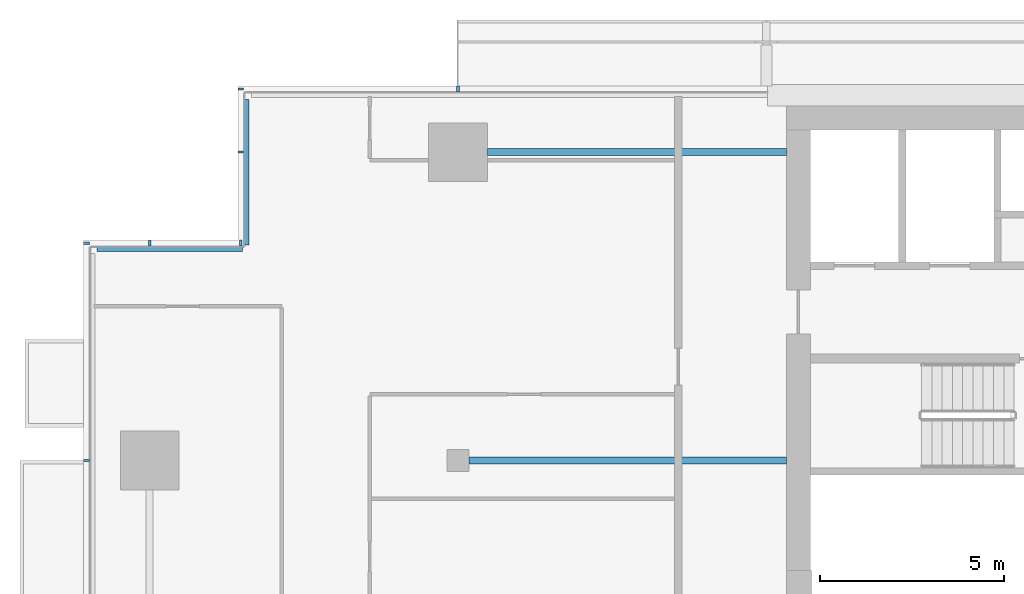
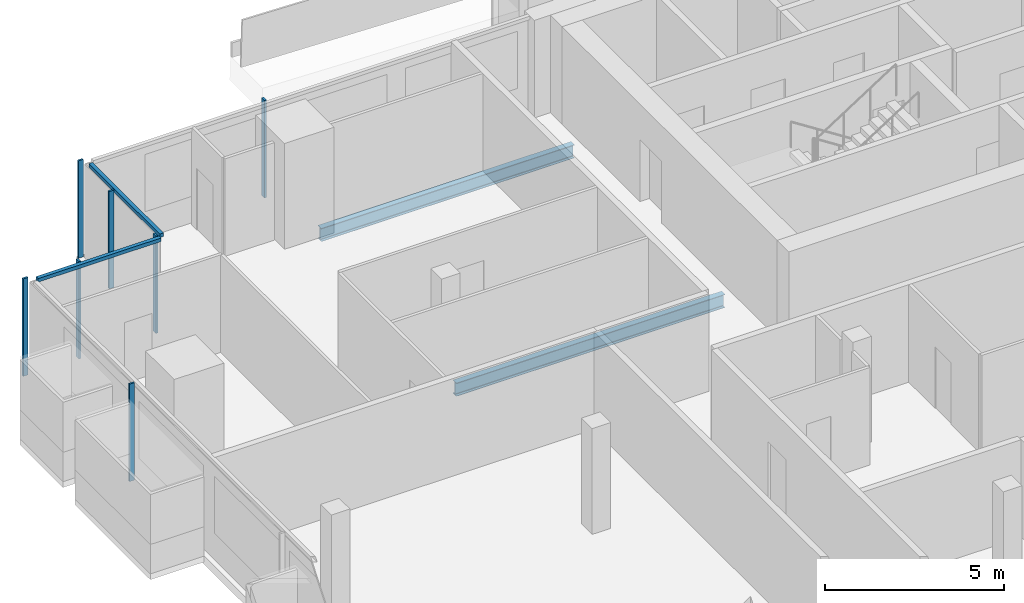
# One storey, part 8 of 27: 9 members, 2 beams, 4 elements without a shape of their own.
"""IFC4 building model written with IfcOpenShell, lengths in metres."""

from ifc_helpers import new_model, si_unit, direction, frame, origin, origin_2d, place, context, subcontext, project, spatial, rectangle, i_section, extrude, material, material_profile, profile_set, type_object, element, aggregate, save


model = new_model("IFC4")

# Units and contexts
model_context = context("Model", 3, precision=1e-05, world=origin(), true_north=direction((0.0, 1.0)))
body_context = subcontext(model_context, "Body", "Model", "MODEL_VIEW")
ifc_project = project(units=[si_unit("LENGTHUNIT", "METRE"), si_unit("AREAUNIT", "SQUARE_METRE"), si_unit("VOLUMEUNIT", "CUBIC_METRE"), si_unit("PLANEANGLEUNIT", "RADIAN"), si_unit("MASSUNIT", "GRAM", prefix="KILO")], contexts=[model_context])

# Site, building, storey
site_placement = place(None, origin())
site = spatial("IfcSite", under=ifc_project, at=site_placement, CompositionType="ELEMENT")
building_placement = place(site_placement, origin())
building = spatial("IfcBuilding", under=site, at=building_placement, Name="Saffron Gate Tower", CompositionType="ELEMENT")
storey_placement = place(building_placement, frame((0.0, 0.0, 212.699951171875)))
storey = spatial("IfcBuildingStorey", under=building, at=storey_placement, Name="L51", CompositionType="ELEMENT", Elevation=212.699951171875)

# Beams
ifc_material_1 = material(Name="Structural steel S355", Category="steel")
ifc_material_profile_1 = material_profile(ifc_material_1, i_section(OverallWidth=0.18994140625, OverallDepth=0.449951171875, WebThickness=0.009521484375, FlangeThickness=0.0146484375, FilletRadius=0.02099609375, at=origin_2d()))
ifc_profile_set_1 = profile_set([ifc_material_profile_1], Name="Structural steel S355")
beam_type = type_object("IfcBeamType", Name="B6 IPE 450", PredefinedType="BEAM", material=ifc_profile_set_1)
beam_1_placement = place(storey_placement, frame((58.5, 65.39990234375, -0.5048828125), z_axis=(1.0, 0.0, 0.0), x_axis=(0.0, 1.0, 0.0)))
element("IfcBeam", 1, at=beam_1_placement, inside=storey, type_object=beam_type, Name="B6 CORE TIE BEAM", PredefinedType="BEAM", context=body_context, shape_type="SweptSolid", body=[
    extrude(i_section(OverallWidth=0.18994140625, OverallDepth=0.449951171875, WebThickness=0.009521484375, FlangeThickness=0.0146484375, FilletRadius=0.02099609375, at=origin_2d()), origin(), (0.0, 0.0, 1.0), 8.64990234375),
])
beam_2_placement = place(storey_placement, frame((59.0, 73.800048828125, -0.5048828125), z_axis=(1.0, 0.0, 0.0), x_axis=(0.0, 1.0, 0.0)))
element("IfcBeam", 2, at=beam_2_placement, inside=storey, type_object=beam_type, Name="B6 CORE TIE BEAM", PredefinedType="BEAM", context=body_context, shape_type="SweptSolid", body=[
    extrude(i_section(OverallWidth=0.18994140625, OverallDepth=0.449951171875, WebThickness=0.009521484375, FlangeThickness=0.0146484375, FilletRadius=0.02099609375, at=origin_2d()), origin(), (0.0, 0.0, 1.0), 8.14990234375),
])

# Curtain wall, members
ifc_material_2 = material(Name="Aluminium, bronze anodised", Category="aluminium")
curtain_wall_type_1 = type_object("IfcCurtainWallType", Name="CWS2 curtain wall side facades", PredefinedType="NOTDEFINED", material=ifc_material_2)
curtain_wall_1_placement = place(storey_placement, origin())
curtain_wall_1 = element("IfcCurtainWall", 3, at=curtain_wall_1_placement, inside=storey, type_object=curtain_wall_type_1, Name="CWS2 run 10", PredefinedType="NOTDEFINED")
ifc_material_profile_2 = material_profile(ifc_material_2, rectangle(XDim=0.159912109375, YDim=0.06005859375, at=origin_2d()))
ifc_profile_set_2 = profile_set([ifc_material_profile_2], Name="Aluminium, bronze anodised")
member_type_1 = type_object("IfcMemberType", Name="CWS2 mullion 60x160", PredefinedType="MULLION", material=ifc_profile_set_2)
member_1_placement = place(storey_placement, frame((48.080078125, 71.320068359375, 0.0), z_axis=(0.0, 0.0, 1.0), x_axis=(1.0, 0.0, 0.0)))
member_1 = element("IfcMember", 4, at=member_1_placement, type_object=member_type_1, Name="CWS2 mullion 1", PredefinedType="MULLION", context=body_context, shape_type="SweptSolid", body=[
    extrude(rectangle(XDim=0.159912109375, YDim=0.06005859375, at=origin_2d()), origin(), (0.0, 0.0, 1.0), 3.320068359375),
])
member_2_placement = place(storey_placement, frame((48.080078125, 65.39990234375, 0.0), z_axis=(0.0, 0.0, 1.0), x_axis=(1.0, 0.0, 0.0)))
member_2 = element("IfcMember", 5, at=member_2_placement, type_object=member_type_1, Name="CWS2 mullion 2", PredefinedType="MULLION", context=body_context, shape_type="SweptSolid", body=[
    extrude(rectangle(XDim=0.159912109375, YDim=0.06005859375, at=origin_2d()), origin(), (0.0, 0.0, 1.0), 3.320068359375),
])
aggregate(curtain_wall_1, [member_1, member_2])

# Curtain wall, member
curtain_wall_type_2 = type_object("IfcCurtainWallType", Name="CWS3 curtain wall rear facade", PredefinedType="NOTDEFINED", material=ifc_material_2)
curtain_wall_2_placement = place(storey_placement, origin())
curtain_wall_2 = element("IfcCurtainWall", 6, at=curtain_wall_2_placement, inside=storey, type_object=curtain_wall_type_2, Name="CWS3 run 7", PredefinedType="NOTDEFINED")
ifc_material_profile_3 = material_profile(ifc_material_2, rectangle(XDim=0.159912109375, YDim=0.070068359375, at=origin_2d()))
ifc_profile_set_3 = profile_set([ifc_material_profile_3], Name="Aluminium, bronze anodised")
member_type_2 = type_object("IfcMemberType", Name="CWS3 mullion 70x160", PredefinedType="MULLION", material=ifc_profile_set_3)
member_3_placement = place(storey_placement, frame((58.199951171875, 75.52001953125, 0.0), z_axis=(0.0, 0.0, 1.0), x_axis=(0.0, -1.0, 0.0)))
member_3 = element("IfcMember", 7, at=member_3_placement, type_object=member_type_2, Name="CWS3 mullion 9", PredefinedType="MULLION", context=body_context, shape_type="SweptSolid", body=[
    extrude(rectangle(XDim=0.159912109375, YDim=0.070068359375, at=origin_2d()), origin(), (0.0, 0.0, 1.0), 3.320068359375),
])
aggregate(curtain_wall_2, [member_3])

curtain_wall_type_3 = type_object("IfcCurtainWallType", Name="CWS4 curtain wall corner returns", PredefinedType="NOTDEFINED", material=ifc_material_2)
curtain_wall_3_placement = place(storey_placement, origin())
curtain_wall_3 = element("IfcCurtainWall", 8, at=curtain_wall_3_placement, inside=storey, type_object=curtain_wall_type_3, Name="CWS4 run 8", PredefinedType="NOTDEFINED")
ifc_material_profile_4 = material_profile(ifc_material_2, rectangle(XDim=0.1201171875, YDim=0.1201171875, at=origin_2d()))
ifc_profile_set_4 = profile_set([ifc_material_profile_4], Name="Aluminium, bronze anodised")
member_type_3 = type_object("IfcMemberType", Name="CWS4 head transom", PredefinedType="USERDEFINED", material=ifc_profile_set_4)
member_4_placement = place(storey_placement, frame((52.447998046875, 75.23193359375, 3.260009765625), z_axis=(0.0, -1.0, 0.0), x_axis=(1.0, 0.0, 0.0)))
member_4 = element("IfcMember", 9, at=member_4_placement, type_object=member_type_3, Name="CWS4 head transom", ObjectType="TRANSOM", PredefinedType="USERDEFINED", context=body_context, shape_type="SweptSolid", body=[
    extrude(rectangle(XDim=0.1201171875, YDim=0.1201171875, at=origin_2d()), origin(), (0.0, 0.0, 1.0), 3.9599609375),
])

curtain_wall_4_placement = place(storey_placement, origin())
curtain_wall_4 = element("IfcCurtainWall", 10, at=curtain_wall_4_placement, inside=storey, type_object=curtain_wall_type_3, Name="CWS4 run 9", PredefinedType="NOTDEFINED")
member_5_placement = place(storey_placement, frame((52.327880859375, 71.152099609375, 3.260009765625), z_axis=(-1.0, 0.0, 0.0), x_axis=(0.0, -1.0, 0.0)))
member_5 = element("IfcMember", 11, at=member_5_placement, type_object=member_type_3, Name="CWS4 head transom", ObjectType="TRANSOM", PredefinedType="USERDEFINED", context=body_context, shape_type="SweptSolid", body=[
    extrude(rectangle(XDim=0.1201171875, YDim=0.1201171875, at=origin_2d()), origin(), (0.0, 0.0, 1.0), 3.9599609375),
])

# Member
ifc_material_profile_5 = material_profile(ifc_material_2, rectangle(XDim=0.159912109375, YDim=0.06005859375, at=origin_2d()))
ifc_profile_set_5 = profile_set([ifc_material_profile_5], Name="Aluminium, bronze anodised")
member_type_4 = type_object("IfcMemberType", Name="CWS4 mullion 60x160", PredefinedType="MULLION", material=ifc_profile_set_5)
member_6_placement = place(storey_placement, frame((52.280029296875, 75.52001953125, 0.0), z_axis=(0.0, 0.0, 1.0), x_axis=(1.0, 0.0, 0.0)))
member_6 = element("IfcMember", 12, at=member_6_placement, type_object=member_type_4, Name="CWS4 mullion 1", PredefinedType="MULLION", context=body_context, shape_type="SweptSolid", body=[
    extrude(rectangle(XDim=0.159912109375, YDim=0.06005859375, at=origin_2d()), origin(), (0.0, 0.0, 1.0), 3.320068359375),
])

member_7_placement = place(storey_placement, frame((52.280029296875, 73.800048828125, 0.0), z_axis=(0.0, 0.0, 1.0), x_axis=(1.0, 0.0, 0.0)))
member_7 = element("IfcMember", 13, at=member_7_placement, type_object=member_type_4, Name="CWS4 mullion 2", PredefinedType="MULLION", context=body_context, shape_type="SweptSolid", body=[
    extrude(rectangle(XDim=0.159912109375, YDim=0.06005859375, at=origin_2d()), origin(), (0.0, 0.0, 1.0), 3.320068359375),
])

aggregate(curtain_wall_3, [member_6, member_7, member_4])

member_8_placement = place(storey_placement, frame((52.280029296875, 71.320068359375, 0.0), z_axis=(0.0, 0.0, 1.0), x_axis=(0.0, -1.0, 0.0)))
member_8 = element("IfcMember", 14, at=member_8_placement, type_object=member_type_4, Name="CWS4 mullion 1", PredefinedType="MULLION", context=body_context, shape_type="SweptSolid", body=[
    extrude(rectangle(XDim=0.159912109375, YDim=0.06005859375, at=origin_2d()), origin(), (0.0, 0.0, 1.0), 3.320068359375),
])

member_9_placement = place(storey_placement, frame((49.800048828125, 71.320068359375, 0.0), z_axis=(0.0, 0.0, 1.0), x_axis=(0.0, -1.0, 0.0)))
member_9 = element("IfcMember", 15, at=member_9_placement, type_object=member_type_4, Name="CWS4 mullion 2", PredefinedType="MULLION", context=body_context, shape_type="SweptSolid", body=[
    extrude(rectangle(XDim=0.159912109375, YDim=0.06005859375, at=origin_2d()), origin(), (0.0, 0.0, 1.0), 3.320068359375),
])

aggregate(curtain_wall_4, [member_8, member_9, member_5])

save(model, "model.ifc")
